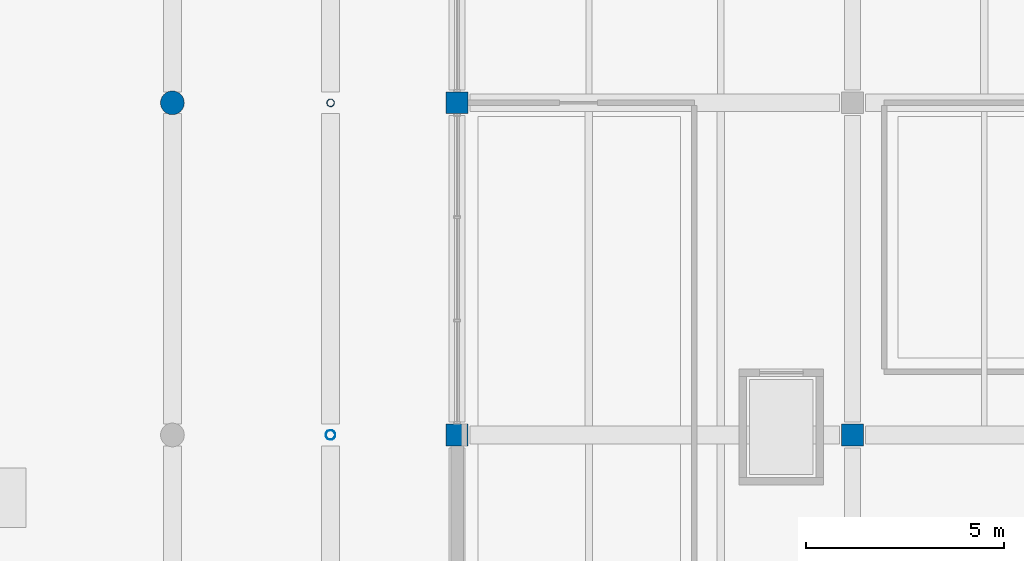
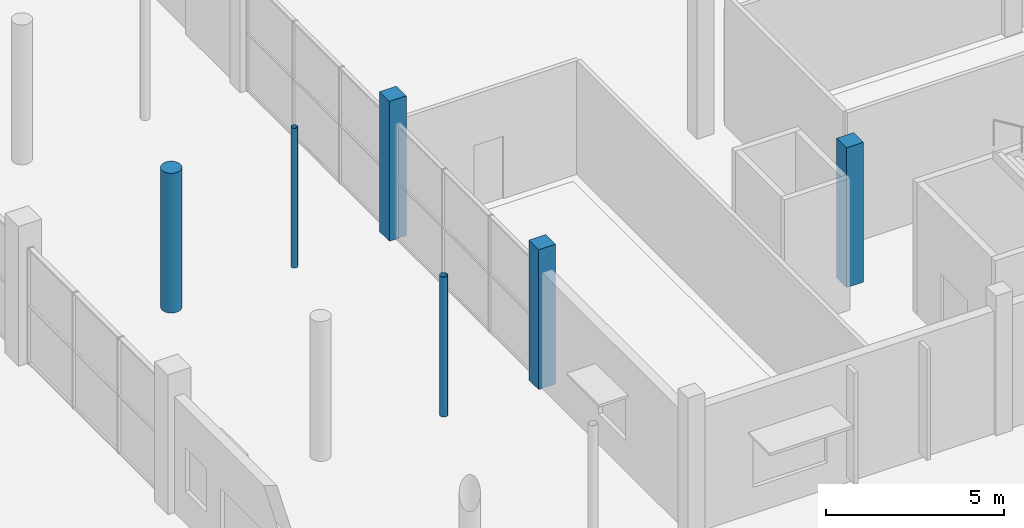
# One storey, part 4 of 130: 6 columns.
"""IFC4 building model written with IfcOpenShell, lengths in metres."""

import ifcopenshell
import ifcopenshell.guid

model = None  # the IFC model being written
_history = None  # IfcOwnerHistory: only IFC2X3 demands one
_inside = {}  # id of a spatial element -> (the spatial element, [elements in it])
_under = {}  # id of a project, library or spatial element -> (it, [spatial elements below it])
_declared = {}  # id of a project -> (the project, [libraries it declares])
_typed = {}  # id of a type object -> (the type object, [elements of that type])
_made_of = {}  # id of a material, layer set ... -> (it, [elements and type objects made of it])


def new_model(schema):
    """Start an empty IFC model of exactly this schema.

    Asked for "IFC4X3", IfcOpenShell would pick the latest addendum, in which some entities
    have other attributes; the version numbers below select the first issue.
    IFC2X3 requires an IfcOwnerHistory on every rooted entity: one is made here for all.
    """
    global model, _history
    if schema == "IFC4X3":
        model = ifcopenshell.file(schema_version=(4, 3, 0, 0))
    else:
        model = ifcopenshell.file(schema=schema)
    _inside.clear()
    _under.clear()
    _declared.clear()
    _typed.clear()
    _made_of.clear()
    _history = None
    if model.schema == "IFC2X3":
        org = make("IfcOrganization", Name="unknown")
        user = make(
            "IfcPersonAndOrganization",
            ThePerson=make("IfcPerson", FamilyName="unknown"),
            TheOrganization=org,
        )
        app = make(
            "IfcApplication",
            ApplicationDeveloper=org,
            Version="unknown",
            ApplicationFullName="unknown",
            ApplicationIdentifier="unknown",
        )
        _history = make(
            "IfcOwnerHistory",
            OwningUser=user,
            OwningApplication=app,
            ChangeAction="ADDED",
            CreationDate=0,
        )
    return model


def make(cls, **values):
    """One entity of the class cls with the attributes given. An attribute that is None is left unset."""
    return model.create_entity(
        cls, **{name: value for name, value in values.items() if value is not None}
    )


def rooted(cls, **values):
    """An entity with a GlobalId (a new one), such as an element, a storey or a relation."""
    return make(cls, GlobalId=ifcopenshell.guid.new(), OwnerHistory=_history, **values)


def si_unit(unit_type, name, prefix=None):
    """IfcSIUnit, for example si_unit("LENGTHUNIT", "METRE", prefix="MILLI")."""
    return make("IfcSIUnit", UnitType=unit_type, Prefix=prefix, Name=name)


def assignment(units):
    """IfcUnitAssignment: the units of a project."""
    return None if units is None else make("IfcUnitAssignment", Units=units)


def point(xyz):
    """IfcCartesianPoint."""
    return None if xyz is None else make("IfcCartesianPoint", Coordinates=xyz)


def direction(xyz):
    """IfcDirection."""
    return None if xyz is None else make("IfcDirection", DirectionRatios=xyz)


def frame(location, z_axis=None, x_axis=None):
    """IfcAxis2Placement3D, a coordinate frame: its origin and axes. An axis left out is left unset."""
    return make(
        "IfcAxis2Placement3D",
        Location=point(location),
        Axis=direction(z_axis),
        RefDirection=direction(x_axis),
    )


def frame_2d(location, x_axis=None):
    """IfcAxis2Placement2D, a coordinate frame in the plane: its origin and x axis."""
    return make(
        "IfcAxis2Placement2D", Location=point(location), RefDirection=direction(x_axis)
    )


def origin():
    """The frame at (0, 0, 0) with its axes left unset."""
    return frame((0.0, 0.0, 0.0))


def origin_2d():
    """The frame at (0, 0) in the plane with its x axis left unset."""
    return frame_2d((0.0, 0.0))


def place(relative_to, where):
    """IfcLocalPlacement: puts the frame where relative to a parent placement (None: the world)."""
    return make(
        "IfcLocalPlacement", PlacementRelTo=relative_to, RelativePlacement=where
    )


def context(
    kind, dimensions, precision=None, world=None, true_north=None, identifier=None
):
    """IfcGeometricRepresentationContext, for example the 3D "Model" context."""
    return make(
        "IfcGeometricRepresentationContext",
        ContextIdentifier=identifier,
        ContextType=kind,
        CoordinateSpaceDimension=dimensions,
        Precision=precision,
        WorldCoordinateSystem=world,
        TrueNorth=true_north,
    )


def subcontext(parent, identifier, kind, view, scale=None):
    """IfcGeometricRepresentationSubContext, for example "Body" below "Model"."""
    return make(
        "IfcGeometricRepresentationSubContext",
        ContextIdentifier=identifier,
        ContextType=kind,
        ParentContext=parent,
        TargetScale=scale,
        TargetView=view,
    )


def project(units=None, contexts=None):
    """IfcProject with its units and contexts."""
    return rooted(
        "IfcProject",
        Name="project",
        RepresentationContexts=contexts,
        UnitsInContext=assignment(units),
    )


def spatial(cls, under=None, at=None, **own):
    """A site, building, storey or space (cls), placed at a placement, below another one or the project."""
    s = rooted(cls, ObjectPlacement=at, **own)
    if under is not None:
        _under.setdefault(under.id(), (under, []))[1].append(s)
    return s


def profile(cls, at=None, kind="AREA", **sizes):
    """A parametric profile (cls). Its sizes go by their IFC names, for example OverallWidth=200.0."""
    return make(cls, ProfileType=kind, Position=at, **sizes)


def rectangle(**sizes):
    """IfcRectangleProfileDef."""
    return profile("IfcRectangleProfileDef", **sizes)


def circle(**sizes):
    """IfcCircleProfileDef."""
    return profile("IfcCircleProfileDef", **sizes)


def hollow_circle(**sizes):
    """IfcCircleHollowProfileDef."""
    return profile("IfcCircleHollowProfileDef", **sizes)


def extrude(swept, where, along, depth):
    """IfcExtrudedAreaSolid: the profile swept, set in the frame where, extruded along a direction by depth."""
    return make(
        "IfcExtrudedAreaSolid",
        SweptArea=swept,
        Position=where,
        ExtrudedDirection=direction(along),
        Depth=depth,
    )


def shape(context_of_items, identifier, shape_type, items):
    """IfcShapeRepresentation: the items that make up one representation, for example the "Body"."""
    return make(
        "IfcShapeRepresentation",
        ContextOfItems=context_of_items,
        RepresentationIdentifier=identifier,
        RepresentationType=shape_type,
        Items=items,
    )


def material(Name=None, Category=None):
    """IfcMaterial."""
    return make("IfcMaterial", Name=Name, Category=Category)


def material_profile(
    of_material, cross_section, Name=None, Category=None, Priority=None
):
    """IfcMaterialProfile: a cross section and its material."""
    return make(
        "IfcMaterialProfile",
        Name=Name,
        Material=of_material,
        Profile=cross_section,
        Priority=Priority,
        Category=Category,
    )


def profile_set(profiles, Name=None, composite=None):
    """IfcMaterialProfileSet."""
    return make(
        "IfcMaterialProfileSet",
        Name=Name,
        MaterialProfiles=profiles,
        CompositeProfile=composite,
    )


def made_of(thing, what):
    """Note that an element or type object is made of a material, layer set ...; save() writes the relation."""
    if what is not None:
        _made_of.setdefault(what.id(), (what, []))[1].append(thing)
    return thing


def type_object(cls, material=None, **own):
    """A type object (cls), such as IfcWallType, which elements share."""
    return made_of(rooted(cls, **own), material)


def element(
    cls,
    number,
    at=None,
    inside=None,
    cuts=None,
    type_object=None,
    material=None,
    context=None,
    identifier="Body",
    shape_type=None,
    held_by="IfcProductDefinitionShape",
    body=None,
    shapes=None,
    **own,
):
    """One element of the class cls, such as IfcWall. Its Tag is "e" and its number.

    at: its placement. inside: the storey or other place that contains it. cuts: it is an
    opening in that element (IfcRelVoidsElement). A single representation is given by context,
    identifier, shape_type and body (its items); several are given by shapes. held_by: the class
    of the entity that holds the representations. save() writes the other relations.
    """
    e = rooted(cls, Tag="e%d" % number, ObjectPlacement=at, **own)
    if body is not None:
        shapes = [shape(context, identifier, shape_type, body)]
    if shapes is not None:
        e.Representation = make(held_by, Representations=shapes)
    if inside is not None:
        _inside.setdefault(inside.id(), (inside, []))[1].append(e)
    if cuts is not None:
        rooted(
            "IfcRelVoidsElement", RelatingBuildingElement=cuts, RelatedOpeningElement=e
        )
    if type_object is not None:
        _typed.setdefault(type_object.id(), (type_object, []))[1].append(e)
    return made_of(e, material)


def aggregate(whole, parts):
    """IfcRelAggregates: a whole, such as a stair, and the parts it consists of."""
    return rooted("IfcRelAggregates", RelatingObject=whole, RelatedObjects=parts)


def save(model, path):
    """Write the relations noted so far, then the file.

    IfcRelAggregates (storeys below a building ...), IfcRelContainedInSpatialStructure (elements
    in a storey), IfcRelDefinesByType, IfcRelAssociatesMaterial and IfcRelDeclares: one each for
    every whole, place, type object, material and project.
    """
    for whole, parts in _under.values():
        aggregate(whole, parts)
    for where, things in _inside.values():
        rooted(
            "IfcRelContainedInSpatialStructure",
            RelatedElements=things,
            RelatingStructure=where,
        )
    for kind, things in _typed.values():
        rooted("IfcRelDefinesByType", RelatedObjects=things, RelatingType=kind)
    for what, things in _made_of.values():
        rooted("IfcRelAssociatesMaterial", RelatedObjects=things, RelatingMaterial=what)
    for by, libraries in _declared.values():
        rooted("IfcRelDeclares", RelatingContext=by, RelatedDefinitions=libraries)
    model.write(path)


model = new_model("IFC4")

# Units and contexts
model_context = context("Model", 3, precision=1e-05, world=origin(), true_north=direction((0.0, 1.0)))
body_context = subcontext(model_context, "Body", "Model", "MODEL_VIEW")
ifc_project = project(units=[si_unit("LENGTHUNIT", "METRE"), si_unit("AREAUNIT", "SQUARE_METRE"), si_unit("VOLUMEUNIT", "CUBIC_METRE"), si_unit("PLANEANGLEUNIT", "RADIAN"), si_unit("MASSUNIT", "GRAM", prefix="KILO"), si_unit("THERMODYNAMICTEMPERATUREUNIT", "KELVIN")], contexts=[model_context])

# Site, building, storey
site_placement = place(None, origin())
site = spatial("IfcSite", under=ifc_project, at=site_placement, CompositionType="ELEMENT")
building_placement = place(site_placement, origin())
building = spatial("IfcBuilding", under=site, at=building_placement, Name="Nduvali Passage Aquatics Centre", CompositionType="ELEMENT")
storey_placement = place(building_placement, origin())
storey = spatial("IfcBuildingStorey", under=building, at=storey_placement, Name="L00", CompositionType="ELEMENT", Elevation=0.0)

# Columns
ifc_material_1 = material(Name="Concrete C40/50", Category="concrete")
ifc_material_profile_1 = material_profile(ifc_material_1, rectangle(XDim=0.550048828125, YDim=0.550048828125, at=origin_2d()), Name="RC 550x550")
ifc_profile_set_1 = profile_set([ifc_material_profile_1], Name="Concrete C40/50")
column_type_1 = type_object("IfcColumnType", Name="STR-COL-RC550", PredefinedType="COLUMN", material=ifc_profile_set_1)
column_1_placement = place(storey_placement, frame((148.0, 33.60009765625, 0.0), z_axis=(0.0, 0.0, 1.0), x_axis=(1.0, 0.0, 0.0)))
element("IfcColumn", 1, at=column_1_placement, inside=storey, type_object=column_type_1, Name="L00 Column C4 (148.0, 33.6)", PredefinedType="COLUMN", context=body_context, shape_type="SweptSolid", body=[
    extrude(rectangle(XDim=0.550048828125, YDim=0.550048828125, at=origin_2d()), origin(), (0.0, 0.0, 1.0), 4.800048828125),
])
ifc_material_profile_2 = material_profile(ifc_material_1, rectangle(XDim=0.550048828125, YDim=0.550048828125, at=origin_2d()), Name="RC 550x550")
ifc_profile_set_2 = profile_set([ifc_material_profile_2], Name="Concrete C40/50")
column_type_2 = type_object("IfcColumnType", Name="STR-COL-RC550-EXT", PredefinedType="COLUMN", material=ifc_profile_set_2)
for number, where, z_axis, x_axis, name in (
    (2, (138.0, 33.60009765625, 0.0), (0.0, 0.0, 1.0), (1.0, 0.0, 0.0), "L00 Column C4E (138.0, 33.6)"),
    (3, (138.0, 42.0, 0.0), (0.0, 0.0, 1.0), (1.0, 0.0, 0.0), "L00 Column C4E (138.0, 42.0)"),
):
    element("IfcColumn", number, at=place(storey_placement, frame(where, z_axis=z_axis, x_axis=x_axis)), inside=storey, type_object=column_type_2, Name=name, PredefinedType="COLUMN", context=body_context, shape_type="SweptSolid", body=[
        extrude(rectangle(XDim=0.550048828125, YDim=0.550048828125, at=origin_2d()), origin(), (0.0, 0.0, 1.0), 4.800048828125),
    ])
ifc_material_2 = material(Name="Steel S355", Category="steel")
ifc_material_profile_3 = material_profile(ifc_material_2, hollow_circle(Radius=0.096923828125, WallThickness=0.008056640625, at=origin_2d()), Name="CHS 193.7x8.0")
ifc_profile_set_3 = profile_set([ifc_material_profile_3], Name="Steel S355")
column_type_3 = type_object("IfcColumnType", Name="STR-PIL-CHS193-EXT", PredefinedType="PILASTER", material=ifc_profile_set_3)
column_2_placement = place(storey_placement, frame((134.800048828125, 42.0, 0.0), z_axis=(0.0, 0.0, 1.0), x_axis=(1.0, 0.0, 0.0)))
element("IfcColumn", 4, at=column_2_placement, inside=storey, type_object=column_type_3, Name="L00 Column CP3E (134.8, 42.0)", PredefinedType="PILASTER", context=body_context, shape_type="SweptSolid", body=[
    extrude(hollow_circle(Radius=0.096923828125, WallThickness=0.008056640625, at=origin_2d()), origin(), (0.0, 0.0, 1.0), 4.800048828125),
])
ifc_material_profile_4 = material_profile(ifc_material_2, hollow_circle(Radius=0.122314453125, WallThickness=0.008056640625, at=origin_2d()), Name="CHS 244.5x8.0")
ifc_profile_set_4 = profile_set([ifc_material_profile_4], Name="Steel S355")
column_type_4 = type_object("IfcColumnType", Name="STR-PIL-CHS244-EXT", PredefinedType="PILASTER", material=ifc_profile_set_4)
column_3_placement = place(storey_placement, frame((134.800048828125, 33.60009765625, 0.0), z_axis=(0.0, 0.0, 1.0), x_axis=(1.0, 0.0, 0.0)))
element("IfcColumn", 5, at=column_3_placement, inside=storey, type_object=column_type_4, Name="L00 Column CP2AE (134.8, 33.6)", PredefinedType="PILASTER", context=body_context, shape_type="SweptSolid", body=[
    extrude(hollow_circle(Radius=0.122314453125, WallThickness=0.008056640625, at=origin_2d()), origin(), (0.0, 0.0, 1.0), 4.800048828125),
])
ifc_material_profile_5 = material_profile(ifc_material_1, circle(Radius=0.300048828125, at=origin_2d()), Name="RC D600")
ifc_profile_set_5 = profile_set([ifc_material_profile_5], Name="Concrete C40/50")
column_type_5 = type_object("IfcColumnType", Name="STR-PIL-D600-EXT", PredefinedType="PILASTER", material=ifc_profile_set_5)
column_4_placement = place(storey_placement, frame((130.800048828125, 42.0, 0.0), z_axis=(0.0, 0.0, 1.0), x_axis=(1.0, 0.0, 0.0)))
element("IfcColumn", 6, at=column_4_placement, inside=storey, type_object=column_type_5, Name="L00 Column CP1E (130.8, 42.0)", PredefinedType="PILASTER", context=body_context, shape_type="SweptSolid", body=[
    extrude(circle(Radius=0.300048828125, at=origin_2d()), origin(), (0.0, 0.0, 1.0), 4.800048828125),
])

save(model, "model.ifc")
